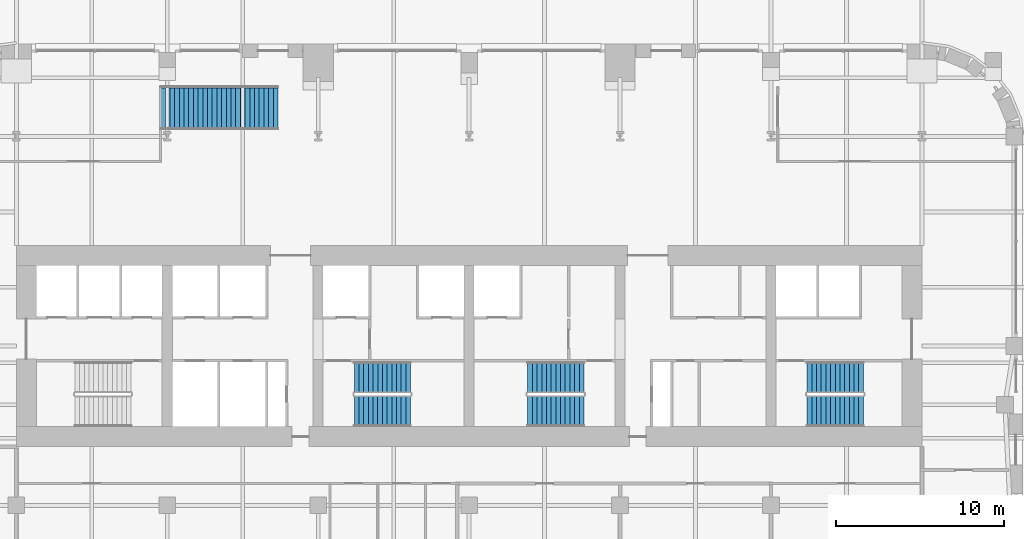
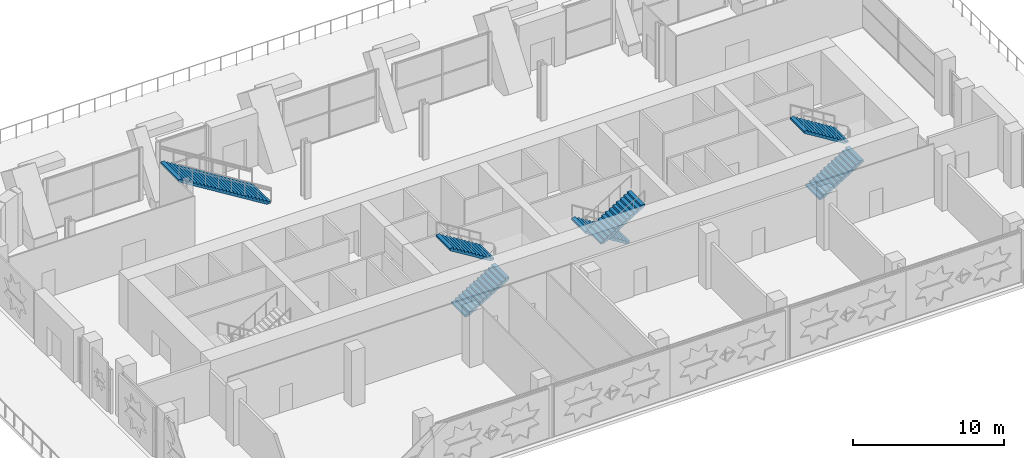
# One storey, part 17 of 26: 7 stair flights, 4 elements without a shape of their own.
"""IFC4 building model written with IfcOpenShell, lengths in metres."""

import ifcopenshell
import ifcopenshell.guid

model = None  # the IFC model being written
_history = None  # IfcOwnerHistory: only IFC2X3 demands one
_inside = {}  # id of a spatial element -> (the spatial element, [elements in it])
_under = {}  # id of a project, library or spatial element -> (it, [spatial elements below it])
_declared = {}  # id of a project -> (the project, [libraries it declares])
_typed = {}  # id of a type object -> (the type object, [elements of that type])
_made_of = {}  # id of a material, layer set ... -> (it, [elements and type objects made of it])


def new_model(schema):
    """Start an empty IFC model of exactly this schema.

    Asked for "IFC4X3", IfcOpenShell would pick the latest addendum, in which some entities
    have other attributes; the version numbers below select the first issue.
    IFC2X3 requires an IfcOwnerHistory on every rooted entity: one is made here for all.
    """
    global model, _history
    if schema == "IFC4X3":
        model = ifcopenshell.file(schema_version=(4, 3, 0, 0))
    else:
        model = ifcopenshell.file(schema=schema)
    _inside.clear()
    _under.clear()
    _declared.clear()
    _typed.clear()
    _made_of.clear()
    _history = None
    if model.schema == "IFC2X3":
        org = make("IfcOrganization", Name="unknown")
        user = make(
            "IfcPersonAndOrganization",
            ThePerson=make("IfcPerson", FamilyName="unknown"),
            TheOrganization=org,
        )
        app = make(
            "IfcApplication",
            ApplicationDeveloper=org,
            Version="unknown",
            ApplicationFullName="unknown",
            ApplicationIdentifier="unknown",
        )
        _history = make(
            "IfcOwnerHistory",
            OwningUser=user,
            OwningApplication=app,
            ChangeAction="ADDED",
            CreationDate=0,
        )
    return model


def make(cls, **values):
    """One entity of the class cls with the attributes given. An attribute that is None is left unset."""
    return model.create_entity(
        cls, **{name: value for name, value in values.items() if value is not None}
    )


def rooted(cls, **values):
    """An entity with a GlobalId (a new one), such as an element, a storey or a relation."""
    return make(cls, GlobalId=ifcopenshell.guid.new(), OwnerHistory=_history, **values)


def si_unit(unit_type, name, prefix=None):
    """IfcSIUnit, for example si_unit("LENGTHUNIT", "METRE", prefix="MILLI")."""
    return make("IfcSIUnit", UnitType=unit_type, Prefix=prefix, Name=name)


def assignment(units):
    """IfcUnitAssignment: the units of a project."""
    return None if units is None else make("IfcUnitAssignment", Units=units)


def point(xyz):
    """IfcCartesianPoint."""
    return None if xyz is None else make("IfcCartesianPoint", Coordinates=xyz)


def direction(xyz):
    """IfcDirection."""
    return None if xyz is None else make("IfcDirection", DirectionRatios=xyz)


def frame(location, z_axis=None, x_axis=None):
    """IfcAxis2Placement3D, a coordinate frame: its origin and axes. An axis left out is left unset."""
    return make(
        "IfcAxis2Placement3D",
        Location=point(location),
        Axis=direction(z_axis),
        RefDirection=direction(x_axis),
    )


def origin():
    """The frame at (0, 0, 0) with its axes left unset."""
    return frame((0.0, 0.0, 0.0))


def place(relative_to, where):
    """IfcLocalPlacement: puts the frame where relative to a parent placement (None: the world)."""
    return make(
        "IfcLocalPlacement", PlacementRelTo=relative_to, RelativePlacement=where
    )


def context(
    kind, dimensions, precision=None, world=None, true_north=None, identifier=None
):
    """IfcGeometricRepresentationContext, for example the 3D "Model" context."""
    return make(
        "IfcGeometricRepresentationContext",
        ContextIdentifier=identifier,
        ContextType=kind,
        CoordinateSpaceDimension=dimensions,
        Precision=precision,
        WorldCoordinateSystem=world,
        TrueNorth=true_north,
    )


def subcontext(parent, identifier, kind, view, scale=None):
    """IfcGeometricRepresentationSubContext, for example "Body" below "Model"."""
    return make(
        "IfcGeometricRepresentationSubContext",
        ContextIdentifier=identifier,
        ContextType=kind,
        ParentContext=parent,
        TargetScale=scale,
        TargetView=view,
    )


def project(units=None, contexts=None):
    """IfcProject with its units and contexts."""
    return rooted(
        "IfcProject",
        Name="project",
        RepresentationContexts=contexts,
        UnitsInContext=assignment(units),
    )


def spatial(cls, under=None, at=None, **own):
    """A site, building, storey or space (cls), placed at a placement, below another one or the project."""
    s = rooted(cls, ObjectPlacement=at, **own)
    if under is not None:
        _under.setdefault(under.id(), (under, []))[1].append(s)
    return s


def polyline(points):
    """IfcPolyline through the points."""
    return make("IfcPolyline", Points=[point(p) for p in points])


def outline(outer, holes=None, kind="AREA"):
    """IfcArbitraryClosedProfileDef: a profile drawn as a closed curve; with holes, ...WithVoids."""
    if holes is None:
        return make("IfcArbitraryClosedProfileDef", ProfileType=kind, OuterCurve=outer)
    return make(
        "IfcArbitraryProfileDefWithVoids",
        ProfileType=kind,
        OuterCurve=outer,
        InnerCurves=holes,
    )


def extrude(swept, where, along, depth):
    """IfcExtrudedAreaSolid: the profile swept, set in the frame where, extruded along a direction by depth."""
    return make(
        "IfcExtrudedAreaSolid",
        SweptArea=swept,
        Position=where,
        ExtrudedDirection=direction(along),
        Depth=depth,
    )


def shape(context_of_items, identifier, shape_type, items):
    """IfcShapeRepresentation: the items that make up one representation, for example the "Body"."""
    return make(
        "IfcShapeRepresentation",
        ContextOfItems=context_of_items,
        RepresentationIdentifier=identifier,
        RepresentationType=shape_type,
        Items=items,
    )


def material(Name=None, Category=None):
    """IfcMaterial."""
    return make("IfcMaterial", Name=Name, Category=Category)


def made_of(thing, what):
    """Note that an element or type object is made of a material, layer set ...; save() writes the relation."""
    if what is not None:
        _made_of.setdefault(what.id(), (what, []))[1].append(thing)
    return thing


def type_object(cls, material=None, **own):
    """A type object (cls), such as IfcWallType, which elements share."""
    return made_of(rooted(cls, **own), material)


def element(
    cls,
    number,
    at=None,
    inside=None,
    cuts=None,
    type_object=None,
    material=None,
    context=None,
    identifier="Body",
    shape_type=None,
    held_by="IfcProductDefinitionShape",
    body=None,
    shapes=None,
    **own,
):
    """One element of the class cls, such as IfcWall. Its Tag is "e" and its number.

    at: its placement. inside: the storey or other place that contains it. cuts: it is an
    opening in that element (IfcRelVoidsElement). A single representation is given by context,
    identifier, shape_type and body (its items); several are given by shapes. held_by: the class
    of the entity that holds the representations. save() writes the other relations.
    """
    e = rooted(cls, Tag="e%d" % number, ObjectPlacement=at, **own)
    if body is not None:
        shapes = [shape(context, identifier, shape_type, body)]
    if shapes is not None:
        e.Representation = make(held_by, Representations=shapes)
    if inside is not None:
        _inside.setdefault(inside.id(), (inside, []))[1].append(e)
    if cuts is not None:
        rooted(
            "IfcRelVoidsElement", RelatingBuildingElement=cuts, RelatedOpeningElement=e
        )
    if type_object is not None:
        _typed.setdefault(type_object.id(), (type_object, []))[1].append(e)
    return made_of(e, material)


def aggregate(whole, parts):
    """IfcRelAggregates: a whole, such as a stair, and the parts it consists of."""
    return rooted("IfcRelAggregates", RelatingObject=whole, RelatedObjects=parts)


def save(model, path):
    """Write the relations noted so far, then the file.

    IfcRelAggregates (storeys below a building ...), IfcRelContainedInSpatialStructure (elements
    in a storey), IfcRelDefinesByType, IfcRelAssociatesMaterial and IfcRelDeclares: one each for
    every whole, place, type object, material and project.
    """
    for whole, parts in _under.values():
        aggregate(whole, parts)
    for where, things in _inside.values():
        rooted(
            "IfcRelContainedInSpatialStructure",
            RelatedElements=things,
            RelatingStructure=where,
        )
    for kind, things in _typed.values():
        rooted("IfcRelDefinesByType", RelatedObjects=things, RelatingType=kind)
    for what, things in _made_of.values():
        rooted("IfcRelAssociatesMaterial", RelatedObjects=things, RelatingMaterial=what)
    for by, libraries in _declared.values():
        rooted("IfcRelDeclares", RelatingContext=by, RelatedDefinitions=libraries)
    model.write(path)


model = new_model("IFC4")

# Units and contexts
model_context = context("Model", 3, precision=1e-05, world=origin(), true_north=direction((0.0, 1.0)))
body_context = subcontext(model_context, "Body", "Model", "MODEL_VIEW")
ifc_project = project(units=[si_unit("LENGTHUNIT", "METRE"), si_unit("AREAUNIT", "SQUARE_METRE"), si_unit("VOLUMEUNIT", "CUBIC_METRE"), si_unit("PLANEANGLEUNIT", "RADIAN"), si_unit("MASSUNIT", "GRAM", prefix="KILO")], contexts=[model_context])

# Site, building, storey
site_placement = place(None, origin())
site = spatial("IfcSite", under=ifc_project, at=site_placement, CompositionType="ELEMENT")
building_placement = place(site_placement, origin())
building = spatial("IfcBuilding", under=site, at=building_placement, Name="Zellij Exchange Tower", CompositionType="ELEMENT")
storey_placement = place(building_placement, frame((0.0, 0.0, 39.0)))
storey = spatial("IfcBuildingStorey", under=building, at=storey_placement, Name="L06", CompositionType="ELEMENT", Elevation=39.0)

# Stair, stair flights
ifc_material_1 = material(Name="Concrete C40/50", Category="concrete")
stair_type_1 = type_object("IfcStairType", Name="CORE-ST exit stair 1850 wide", PredefinedType="HALF_TURN_STAIR", material=ifc_material_1)
stair_1_placement = place(storey_placement, origin())
stair_1 = element("IfcStair", 1, at=stair_1_placement, inside=storey, type_object=stair_type_1, Name="L06 exit stair ST2", PredefinedType="HALF_TURN_STAIR")
stair_flight_type_1 = type_object("IfcStairFlightType", Name="CORE-SF flight 1850 riser 173.1 going 280", PredefinedType="STRAIGHT", material=ifc_material_1)
stair_flight_1_placement = place(storey_placement, frame((-6.85009765625, -11.875, 0.0), z_axis=(0.0, 0.0, 1.0), x_axis=(1.0, 0.0, 0.0)))
stair_flight_1 = element("IfcStairFlight", 2, at=stair_flight_1_placement, type_object=stair_flight_type_1, Name="ST2 flight 1", NumberOfRisers=13, NumberOfTreads=12, PredefinedType="STRAIGHT", RiserHeight=0.173076923, TreadLength=0.28, context=body_context, shape_type="SweptSolid", body=[
    extrude(outline(polyline([(0.0, 0.0), (0.0, 0.173095703125), (0.280029296875, 0.173095703125), (0.280029296875, 0.34619140625), (0.56005859375, 0.34619140625), (0.56005859375, 0.519287109375), (0.840087890625, 0.519287109375), (0.840087890625, 0.6923828125), (1.1201171875, 0.6923828125), (1.1201171875, 0.865478515625), (1.39990234375, 0.865478515625), (1.39990234375, 1.03857421875), (1.679931640625, 1.03857421875), (1.679931640625, 1.21142578125), (1.9599609375, 1.21142578125), (1.9599609375, 1.384521484375), (2.239990234375, 1.384521484375), (2.239990234375, 1.5576171875), (2.52001953125, 1.5576171875), (2.52001953125, 1.730712890625), (2.800048828125, 1.730712890625), (2.800048828125, 1.90380859375), (3.080078125, 1.90380859375), (3.080078125, 2.076904296875), (3.360107421875, 2.076904296875), (3.360107421875, 2.25), (3.360107421875, 1.900634765625), (0.28515625, 0.0), (0.0, 0.0)])), frame((0.0, 0.925048828125, 0.0), z_axis=(0.0, -1.0, 0.0), x_axis=(1.0, 0.0, 0.0)), (0.0, 0.0, 1.0), 1.85009765625),
])
stair_flight_2_placement = place(storey_placement, frame((-3.489990234375, -9.875, 2.25), z_axis=(0.0, 0.0, 1.0), x_axis=(-1.0, 0.0, 0.0)))
stair_flight_2 = element("IfcStairFlight", 3, at=stair_flight_2_placement, type_object=stair_flight_type_1, Name="ST2 flight 2", NumberOfRisers=13, NumberOfTreads=12, PredefinedType="STRAIGHT", RiserHeight=0.173076923, TreadLength=0.28, context=body_context, shape_type="SweptSolid", body=[
    extrude(outline(polyline([(0.0, 0.0), (0.0, 0.173095703125), (0.280029296875, 0.173095703125), (0.280029296875, 0.34619140625), (0.56005859375, 0.34619140625), (0.56005859375, 0.519287109375), (0.840087890625, 0.519287109375), (0.840087890625, 0.6923828125), (1.1201171875, 0.6923828125), (1.1201171875, 0.865478515625), (1.39990234375, 0.865478515625), (1.39990234375, 1.03857421875), (1.679931640625, 1.03857421875), (1.679931640625, 1.21142578125), (1.9599609375, 1.21142578125), (1.9599609375, 1.384521484375), (2.239990234375, 1.384521484375), (2.239990234375, 1.5576171875), (2.52001953125, 1.5576171875), (2.52001953125, 1.730712890625), (2.800048828125, 1.730712890625), (2.800048828125, 1.90380859375), (3.080078125, 1.90380859375), (3.080078125, 2.076904296875), (3.360107421875, 2.076904296875), (3.360107421875, 2.25), (3.360107421875, 1.900634765625), (0.28515625, 0.0), (0.0, 0.0)])), frame((0.0, 0.925048828125, 0.0), z_axis=(0.0, -1.0, 0.0), x_axis=(1.0, 0.0, 0.0)), (0.0, 0.0, 1.0), 1.85009765625),
])
aggregate(stair_1, [stair_flight_1, stair_flight_2])

stair_2_placement = place(storey_placement, origin())
stair_2 = element("IfcStair", 4, at=stair_2_placement, inside=storey, type_object=stair_type_1, Name="L06 exit stair ST3", PredefinedType="HALF_TURN_STAIR")
stair_flight_3_placement = place(storey_placement, frame((6.85009765625, -9.875, 0.0), z_axis=(0.0, 0.0, 1.0), x_axis=(-1.0, 0.0, 0.0)))
stair_flight_3 = element("IfcStairFlight", 5, at=stair_flight_3_placement, type_object=stair_flight_type_1, Name="ST3 flight 1", NumberOfRisers=13, NumberOfTreads=12, PredefinedType="STRAIGHT", RiserHeight=0.173076923, TreadLength=0.28, context=body_context, shape_type="SweptSolid", body=[
    extrude(outline(polyline([(0.0, 0.0), (0.0, 0.173095703125), (0.280029296875, 0.173095703125), (0.280029296875, 0.34619140625), (0.56005859375, 0.34619140625), (0.56005859375, 0.519287109375), (0.840087890625, 0.519287109375), (0.840087890625, 0.6923828125), (1.1201171875, 0.6923828125), (1.1201171875, 0.865478515625), (1.39990234375, 0.865478515625), (1.39990234375, 1.03857421875), (1.679931640625, 1.03857421875), (1.679931640625, 1.21142578125), (1.9599609375, 1.21142578125), (1.9599609375, 1.384521484375), (2.239990234375, 1.384521484375), (2.239990234375, 1.5576171875), (2.52001953125, 1.5576171875), (2.52001953125, 1.730712890625), (2.800048828125, 1.730712890625), (2.800048828125, 1.90380859375), (3.080078125, 1.90380859375), (3.080078125, 2.076904296875), (3.360107421875, 2.076904296875), (3.360107421875, 2.25), (3.360107421875, 1.900634765625), (0.28515625, 0.0), (0.0, 0.0)])), frame((0.0, 0.925048828125, 0.0), z_axis=(0.0, -1.0, 0.0), x_axis=(1.0, 0.0, 0.0)), (0.0, 0.0, 1.0), 1.85009765625),
])
stair_flight_4_placement = place(storey_placement, frame((3.489990234375, -11.875, 2.25), z_axis=(0.0, 0.0, 1.0), x_axis=(1.0, 0.0, 0.0)))
stair_flight_4 = element("IfcStairFlight", 6, at=stair_flight_4_placement, type_object=stair_flight_type_1, Name="ST3 flight 2", NumberOfRisers=13, NumberOfTreads=12, PredefinedType="STRAIGHT", RiserHeight=0.173076923, TreadLength=0.28, context=body_context, shape_type="SweptSolid", body=[
    extrude(outline(polyline([(0.0, 0.0), (0.0, 0.173095703125), (0.280029296875, 0.173095703125), (0.280029296875, 0.34619140625), (0.56005859375, 0.34619140625), (0.56005859375, 0.519287109375), (0.840087890625, 0.519287109375), (0.840087890625, 0.6923828125), (1.1201171875, 0.6923828125), (1.1201171875, 0.865478515625), (1.39990234375, 0.865478515625), (1.39990234375, 1.03857421875), (1.679931640625, 1.03857421875), (1.679931640625, 1.21142578125), (1.9599609375, 1.21142578125), (1.9599609375, 1.384521484375), (2.239990234375, 1.384521484375), (2.239990234375, 1.5576171875), (2.52001953125, 1.5576171875), (2.52001953125, 1.730712890625), (2.800048828125, 1.730712890625), (2.800048828125, 1.90380859375), (3.080078125, 1.90380859375), (3.080078125, 2.076904296875), (3.360107421875, 2.076904296875), (3.360107421875, 2.25), (3.360107421875, 1.900634765625), (0.28515625, 0.0), (0.0, 0.0)])), frame((0.0, 0.925048828125, 0.0), z_axis=(0.0, -1.0, 0.0), x_axis=(1.0, 0.0, 0.0)), (0.0, 0.0, 1.0), 1.85009765625),
])
aggregate(stair_2, [stair_flight_3, stair_flight_4])

stair_3_placement = place(storey_placement, origin())
stair_3 = element("IfcStair", 7, at=stair_3_placement, inside=storey, type_object=stair_type_1, Name="L06 exit stair ST4", PredefinedType="HALF_TURN_STAIR")
stair_flight_5_placement = place(storey_placement, frame((20.14990234375, -11.875, 0.0), z_axis=(0.0, 0.0, 1.0), x_axis=(1.0, 0.0, 0.0)))
stair_flight_5 = element("IfcStairFlight", 8, at=stair_flight_5_placement, type_object=stair_flight_type_1, Name="ST4 flight 1", NumberOfRisers=13, NumberOfTreads=12, PredefinedType="STRAIGHT", RiserHeight=0.173076923, TreadLength=0.28, context=body_context, shape_type="SweptSolid", body=[
    extrude(outline(polyline([(0.0, 0.0), (0.0, 0.173095703125), (0.280029296875, 0.173095703125), (0.280029296875, 0.34619140625), (0.56005859375, 0.34619140625), (0.56005859375, 0.519287109375), (0.840087890625, 0.519287109375), (0.840087890625, 0.6923828125), (1.1201171875, 0.6923828125), (1.1201171875, 0.865478515625), (1.39990234375, 0.865478515625), (1.39990234375, 1.03857421875), (1.679931640625, 1.03857421875), (1.679931640625, 1.21142578125), (1.9599609375, 1.21142578125), (1.9599609375, 1.384521484375), (2.239990234375, 1.384521484375), (2.239990234375, 1.5576171875), (2.52001953125, 1.5576171875), (2.52001953125, 1.730712890625), (2.800048828125, 1.730712890625), (2.800048828125, 1.90380859375), (3.080078125, 1.90380859375), (3.080078125, 2.076904296875), (3.360107421875, 2.076904296875), (3.360107421875, 2.25), (3.360107421875, 1.900634765625), (0.28515625, 0.0), (0.0, 0.0)])), frame((0.0, 0.925048828125, 0.0), z_axis=(0.0, -1.0, 0.0), x_axis=(1.0, 0.0, 0.0)), (0.0, 0.0, 1.0), 1.85009765625),
])
stair_flight_6_placement = place(storey_placement, frame((23.510009765625, -9.875, 2.25), z_axis=(0.0, 0.0, 1.0), x_axis=(-1.0, 0.0, 0.0)))
stair_flight_6 = element("IfcStairFlight", 9, at=stair_flight_6_placement, type_object=stair_flight_type_1, Name="ST4 flight 2", NumberOfRisers=13, NumberOfTreads=12, PredefinedType="STRAIGHT", RiserHeight=0.173076923, TreadLength=0.28, context=body_context, shape_type="SweptSolid", body=[
    extrude(outline(polyline([(0.0, 0.0), (0.0, 0.173095703125), (0.280029296875, 0.173095703125), (0.280029296875, 0.34619140625), (0.56005859375, 0.34619140625), (0.56005859375, 0.519287109375), (0.840087890625, 0.519287109375), (0.840087890625, 0.6923828125), (1.1201171875, 0.6923828125), (1.1201171875, 0.865478515625), (1.39990234375, 0.865478515625), (1.39990234375, 1.03857421875), (1.679931640625, 1.03857421875), (1.679931640625, 1.21142578125), (1.9599609375, 1.21142578125), (1.9599609375, 1.384521484375), (2.239990234375, 1.384521484375), (2.239990234375, 1.5576171875), (2.52001953125, 1.5576171875), (2.52001953125, 1.730712890625), (2.800048828125, 1.730712890625), (2.800048828125, 1.90380859375), (3.080078125, 1.90380859375), (3.080078125, 2.076904296875), (3.360107421875, 2.076904296875), (3.360107421875, 2.25), (3.360107421875, 1.900634765625), (0.28515625, 0.0), (0.0, 0.0)])), frame((0.0, 0.925048828125, 0.0), z_axis=(0.0, -1.0, 0.0), x_axis=(1.0, 0.0, 0.0)), (0.0, 0.0, 1.0), 1.85009765625),
])
aggregate(stair_3, [stair_flight_5, stair_flight_6])

# Stair, stair flight
ifc_material_2 = material(Name="Structural steel ASTM A992 Gr 50", Category="steel")
stair_type_2 = type_object("IfcStairType", Name="FIT-FS feature stair 2400", PredefinedType="STRAIGHT_RUN_STAIR", material=ifc_material_2)
stair_4_placement = place(storey_placement, origin())
stair_4 = element("IfcStair", 10, at=stair_4_placement, inside=storey, type_object=stair_type_2, Name="Garden feature stair", PredefinedType="STRAIGHT_RUN_STAIR")
stair_flight_type_2 = type_object("IfcStairFlightType", Name="FIT-FSF flight 2400 riser 173", PredefinedType="STRAIGHT", material=ifc_material_2)
stair_flight_7_placement = place(storey_placement, frame((-11.39990234375, 6.199951171875, 0.0), z_axis=(0.0, 0.0, 1.0), x_axis=(-1.0, 0.0, 0.0)))
stair_flight_7 = element("IfcStairFlight", 11, at=stair_flight_7_placement, type_object=stair_flight_type_2, Name="FS1 flight 1", NumberOfRisers=26, NumberOfTreads=25, PredefinedType="STRAIGHT", RiserHeight=0.173076923, TreadLength=0.28, context=body_context, shape_type="SweptSolid", body=[
    extrude(outline(polyline([(0.0, 0.0), (0.0, 0.173095703125), (0.280029296875, 0.173095703125), (0.280029296875, 0.34619140625), (0.56005859375, 0.34619140625), (0.56005859375, 0.519287109375), (0.840087890625, 0.519287109375), (0.840087890625, 0.6923828125), (1.1201171875, 0.6923828125), (1.1201171875, 0.865478515625), (1.39990234375, 0.865478515625), (1.39990234375, 1.03857421875), (1.679931640625, 1.03857421875), (1.679931640625, 1.21142578125), (1.9599609375, 1.21142578125), (1.9599609375, 1.384521484375), (2.239990234375, 1.384521484375), (2.239990234375, 1.5576171875), (2.52001953125, 1.5576171875), (2.52001953125, 1.730712890625), (2.800048828125, 1.730712890625), (2.800048828125, 1.90380859375), (3.080078125, 1.90380859375), (3.080078125, 2.076904296875), (3.360107421875, 2.076904296875), (3.360107421875, 2.25), (3.639892578125, 2.25), (3.639892578125, 2.423095703125), (3.919921875, 2.423095703125), (3.919921875, 2.59619140625), (4.199951171875, 2.59619140625), (4.199951171875, 2.769287109375), (4.47998046875, 2.769287109375), (4.47998046875, 2.9423828125), (4.760009765625, 2.9423828125), (4.760009765625, 3.115478515625), (5.0400390625, 3.115478515625), (5.0400390625, 3.28857421875), (5.320068359375, 3.28857421875), (5.320068359375, 3.46142578125), (5.60009765625, 3.46142578125), (5.60009765625, 3.634521484375), (5.8798828125, 3.634521484375), (5.8798828125, 3.8076171875), (6.159912109375, 3.8076171875), (6.159912109375, 3.980712890625), (6.43994140625, 3.980712890625), (6.43994140625, 4.15380859375), (6.719970703125, 4.15380859375), (6.719970703125, 4.326904296875), (7.0, 4.326904296875), (7.0, 4.5), (7.0, 4.150634765625), (0.28515625, 0.0), (0.0, 0.0)])), frame((0.0, 1.199951171875, 0.0), z_axis=(0.0, -1.0, 0.0), x_axis=(1.0, 0.0, 0.0)), (0.0, 0.0, 1.0), 2.39990234375),
])
aggregate(stair_4, [stair_flight_7])

save(model, "model.ifc")
